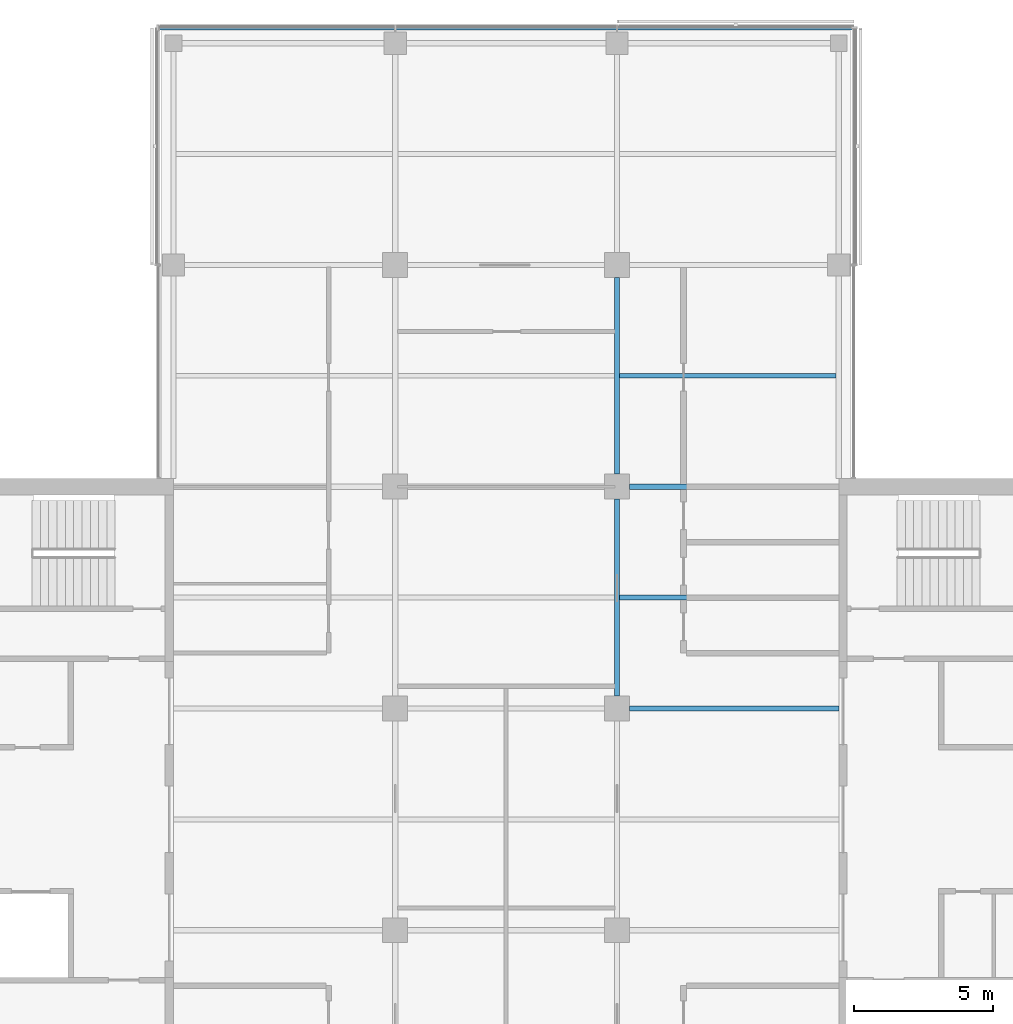
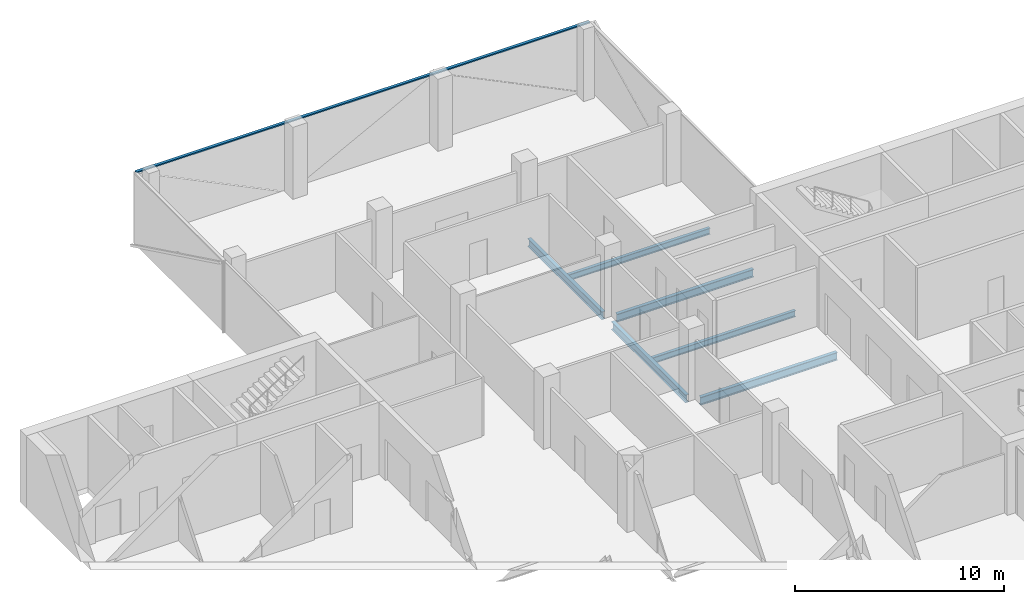
# One storey, part 6 of 16: 6 beams, 1 member, 1 element without a shape of its own.
"""IFC4 building model written with IfcOpenShell, lengths in metres."""

from ifc_helpers import new_model, si_unit, direction, frame, origin, origin_2d, place, context, subcontext, project, spatial, rectangle, i_section, extrude, material, material_profile, profile_set, type_object, element, aggregate, save


model = new_model("IFC4")

# Units and contexts
model_context = context("Model", 3, precision=1e-05, world=origin(), true_north=direction((0.0, 1.0)))
body_context = subcontext(model_context, "Body", "Model", "MODEL_VIEW")
ifc_project = project(units=[si_unit("LENGTHUNIT", "METRE"), si_unit("AREAUNIT", "SQUARE_METRE"), si_unit("VOLUMEUNIT", "CUBIC_METRE"), si_unit("PLANEANGLEUNIT", "RADIAN"), si_unit("MASSUNIT", "GRAM", prefix="KILO")], contexts=[model_context])

# Site, building, storey
site_placement = place(None, origin())
site = spatial("IfcSite", under=ifc_project, at=site_placement, CompositionType="ELEMENT")
building_placement = place(site_placement, origin())
building = spatial("IfcBuilding", under=site, at=building_placement, Name="Crosswind Convention Tower", CompositionType="ELEMENT")
storey_placement = place(building_placement, frame((0.0, 0.0, 212.5)))
storey = spatial("IfcBuildingStorey", under=building, at=storey_placement, Name="L45", CompositionType="ELEMENT", Elevation=212.5)

# Beams
ifc_material_1 = material(Name="Steel S355", Category="steel")
ifc_material_profile_1 = material_profile(ifc_material_1, i_section(OverallWidth=0.1904296875, OverallDepth=0.457275390625, WebThickness=0.009033203125, FlangeThickness=0.014404296875, FilletRadius=0.01025390625, at=origin_2d()), Name="UB 457x191x75")
ifc_profile_set_1 = profile_set([ifc_material_profile_1], Name="Steel S355")
beam_type_1 = type_object("IfcBeamType", Name="Girder UB 457x191x75", PredefinedType="BEAM", material=ifc_profile_set_1)
for number, where, z_axis, x_axis, name in (
    (1, (129.0, 104.449951171875, -0.528564453125), (0.0, 1.0, 0.0), (-1.0, 0.0, 0.0), "B2 L45 girder 20"),
    (2, (129.0, 112.449951171875, -0.528564453125), (0.0, 1.0, 0.0), (-1.0, 0.0, 0.0), "B2 L45 girder 21"),
):
    element("IfcBeam", number, at=place(storey_placement, frame(where, z_axis=z_axis, x_axis=x_axis)), inside=storey, type_object=beam_type_1, Name=name, PredefinedType="BEAM", context=body_context, shape_type="SweptSolid", body=[
        extrude(i_section(OverallWidth=0.1904296875, OverallDepth=0.457275390625, WebThickness=0.009033203125, FlangeThickness=0.014404296875, FilletRadius=0.01025390625, at=origin_2d()), origin(), (0.0, 0.0, 1.0), 7.10009765625),
    ])
ifc_material_profile_2 = material_profile(ifc_material_1, i_section(OverallWidth=0.19140625, OverallDepth=0.460205078125, WebThickness=0.010009765625, FlangeThickness=0.01611328125, FilletRadius=0.01025390625, at=origin_2d()), Name="UB 457x191x82")
ifc_profile_set_2 = profile_set([ifc_material_profile_2], Name="Steel S355")
beam_type_2 = type_object("IfcBeamType", Name="Girder at core wall UB 457x191x82", PredefinedType="BEAM", material=ifc_profile_set_2)
for number, where, z_axis, x_axis, name in (
    (3, (129.449951171875, 104.0, -0.530029296875), (1.0, 0.0, 0.0), (0.0, 1.0, 0.0), "B23 L45 girder at core wall 7"),
    (4, (129.449951171875, 112.0, -0.530029296875), (1.0, 0.0, 0.0), (0.0, 1.0, 0.0), "B23 L45 girder at core wall 8"),
):
    element("IfcBeam", number, at=place(storey_placement, frame(where, z_axis=z_axis, x_axis=x_axis)), inside=storey, type_object=beam_type_2, Name=name, PredefinedType="BEAM", context=body_context, shape_type="SweptSolid", body=[
        extrude(i_section(OverallWidth=0.19140625, OverallDepth=0.460205078125, WebThickness=0.010009765625, FlangeThickness=0.01611328125, FilletRadius=0.01025390625, at=origin_2d()), origin(), (0.0, 0.0, 1.0), 7.550048828125),
    ])
ifc_material_profile_3 = material_profile(ifc_material_1, i_section(OverallWidth=0.172119140625, OverallDepth=0.358642578125, WebThickness=0.008056640625, FlangeThickness=0.012939453125, FilletRadius=0.01025390625, at=origin_2d()), Name="UB 356x171x57")
ifc_profile_set_3 = profile_set([ifc_material_profile_3], Name="Steel S355")
beam_type_3 = type_object("IfcBeamType", Name="Secondary beam UB 356x171x57", PredefinedType="JOIST", material=ifc_profile_set_3)
beam_1_placement = place(storey_placement, frame((129.09521484375, 108.0, -0.479248046875), z_axis=(1.0, 0.0, 0.0), x_axis=(0.0, 1.0, 0.0)))
element("IfcBeam", 5, at=beam_1_placement, inside=storey, type_object=beam_type_3, Name="B9 L45 secondary beam 19", PredefinedType="JOIST", context=body_context, shape_type="SweptSolid", body=[
    extrude(i_section(OverallWidth=0.172119140625, OverallDepth=0.358642578125, WebThickness=0.008056640625, FlangeThickness=0.012939453125, FilletRadius=0.01025390625, at=origin_2d()), origin(), (0.0, 0.0, 1.0), 7.90478515625),
])
beam_2_placement = place(storey_placement, frame((129.09521484375, 116.0, -0.479248046875), z_axis=(1.0, 0.0, 0.0), x_axis=(0.0, 1.0, 0.0)))
element("IfcBeam", 6, at=beam_2_placement, inside=storey, type_object=beam_type_3, Name="B9 L45 secondary beam 20", PredefinedType="JOIST", context=body_context, shape_type="SweptSolid", body=[
    extrude(i_section(OverallWidth=0.172119140625, OverallDepth=0.358642578125, WebThickness=0.008056640625, FlangeThickness=0.012939453125, FilletRadius=0.01025390625, at=origin_2d()), origin(), (0.0, 0.0, 1.0), 7.809814453125),
])

# Curtain wall, member
ifc_material_2 = material(Name="Aluminium unitised curtain wall", Category="aluminium")
curtain_wall_type = type_object("IfcCurtainWallType", Name="OFFICE UNITISED WALL 220", PredefinedType="USERDEFINED", material=ifc_material_2)
curtain_wall_placement = place(storey_placement, origin())
curtain_wall = element("IfcCurtainWall", 7, at=curtain_wall_placement, inside=storey, type_object=curtain_wall_type, Name="CW3 L45 N-TIP 1", ObjectType="UNITISED", PredefinedType="USERDEFINED")
ifc_material_3 = material(Name="Aluminium transom", Category="aluminium")
ifc_material_profile_4 = material_profile(ifc_material_3, rectangle(XDim=0.159912109375, YDim=0.070068359375, at=origin_2d()), Name="AL 160X70")
ifc_profile_set_4 = profile_set([ifc_material_profile_4], Name="Aluminium transom")
member_type = type_object("IfcMemberType", Name="TRANSOM 70X160", PredefinedType="USERDEFINED", material=ifc_profile_set_4)
member_placement = place(storey_placement, frame((137.52490234375, 128.56005859375, 3.864990234375), z_axis=(-1.0, 0.0, 0.0), x_axis=(0.0, -1.0, 0.0)))
member = element("IfcMember", 8, at=member_placement, type_object=member_type, Name="CW3 transom", ObjectType="TRANSOM", PredefinedType="USERDEFINED", context=body_context, shape_type="SweptSolid", body=[
    extrude(rectangle(XDim=0.159912109375, YDim=0.070068359375, at=origin_2d()), origin(), (0.0, 0.0, 1.0), 25.0498046875),
])
aggregate(curtain_wall, [member])

save(model, "model.ifc")
